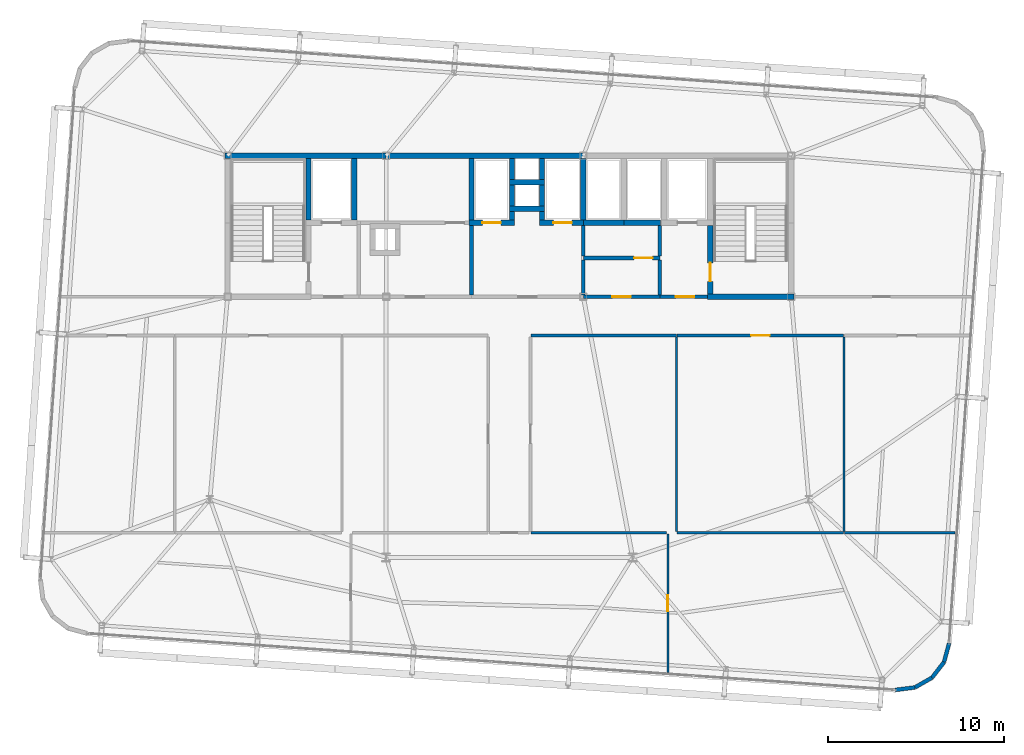
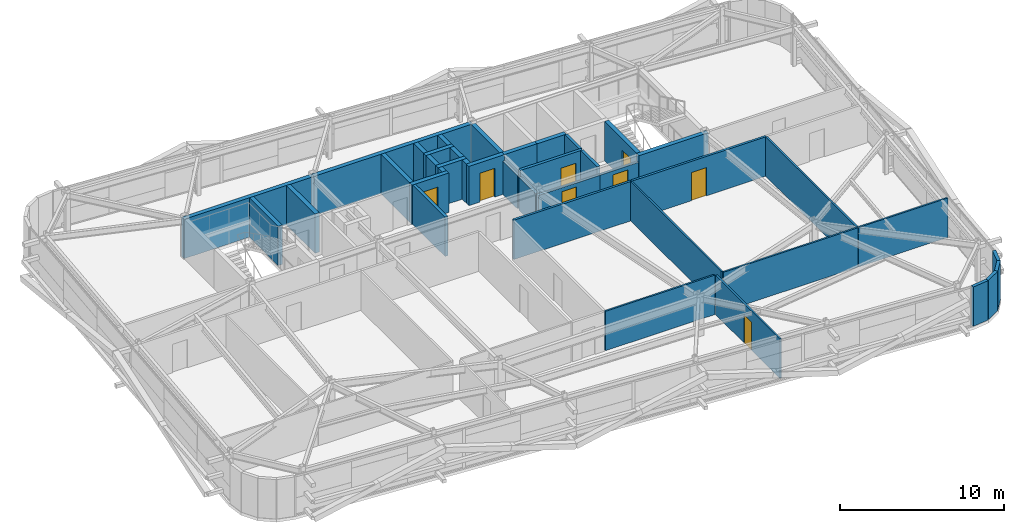
# One storey, part 36 of 39: 40 walls, 8 doors, 8 openings.
"""IFC4 building model written with IfcOpenShell, lengths in metres."""

from ifc_helpers import new_model, si_unit, direction, frame, frame_2d, origin, place, context, subcontext, project, spatial, rectangle, extrude, source, transform, mapped, material, layer, layer_set, type_object, element, fill, save


model = new_model("IFC4")

# Units and contexts
model_context = context("Model", 3, precision=1e-05, world=origin(), true_north=direction((0.0, 1.0)))
body_context = subcontext(model_context, "Body", "Model", "MODEL_VIEW")
ifc_project = project(units=[si_unit("LENGTHUNIT", "METRE"), si_unit("AREAUNIT", "SQUARE_METRE"), si_unit("VOLUMEUNIT", "CUBIC_METRE"), si_unit("PLANEANGLEUNIT", "RADIAN"), si_unit("MASSUNIT", "GRAM", prefix="KILO")], contexts=[model_context])

# Site, building, storey
site_placement = place(None, origin())
site = spatial("IfcSite", under=ifc_project, at=site_placement, CompositionType="ELEMENT")
building_placement = place(site_placement, origin())
building = spatial("IfcBuilding", under=site, at=building_placement, Name="Taldren Reach Tower", CompositionType="ELEMENT")
storey_placement = place(building_placement, frame((0.0, 0.0, 126.699951171875)))
storey = spatial("IfcBuildingStorey", under=building, at=storey_placement, Name="L38", CompositionType="ELEMENT", Elevation=126.699951171875)

# Walls
ifc_material_1 = material(Name="Pale Champagne Anodised Aluminium Cladding", Category="aluminium")
ifc_layer_1 = layer(ifc_material_1, 0.04, Name="Pale Champagne Anodised Aluminium Cladding", Category="aluminium")
ifc_material_2 = material(Name="Mineral Wool Acoustic Insulation", Category="insulation")
ifc_layer_2 = layer(ifc_material_2, 0.06, Name="Mineral Wool Acoustic Insulation", Category="insulation")
ifc_material_3 = material(Name="Steel Gr 350 (C350L0)", Category="steel")
ifc_layer_3 = layer(ifc_material_3, 0.12, Name="Steel Gr 350 (C350L0)", Category="steel")
ifc_layer_set_1 = layer_set([ifc_layer_1, ifc_layer_2, ifc_layer_3], Name="Pale Champagne Aluminium Cladding and Steel Gr 350 Stud Framing")
wall_type_1 = type_object("IfcWallType", Name="EW-CRN-220", PredefinedType="SOLIDWALL", material=ifc_layer_set_1)
shared_shape_1 = source(origin(), body_context, "Body", "SweptSolid", [
    extrude(rectangle(XDim=1.115966796875, YDim=0.219970703125, at=frame_2d((0.55810546875, 0.0))), origin(), (0.0, 0.0, 1.0), 2.929931640625),
])
for number, where, z_axis, x_axis, name in (
    (1, (58.02490234375, 1.8173828125, 0.0), (0.0, 0.0, 1.0), (0.868095010314, 0.496398079235, 0.0), "Rounded-corner pale-metal facade wall L38-SE2"),
    (2, (58.99365234375, 2.371337890625, 0.0), (0.0, 0.0, 1.0), (0.612318787668, 0.790610967714, 0.0), "Rounded-corner pale-metal facade wall L38-SE3"),
    (3, (59.677001953125, 3.253662109375, 0.0), (0.0, 0.0, 1.0), (0.262969307856, 0.964804199372, 0.0), "Rounded-corner pale-metal facade wall L38-SE4"),
):
    element("IfcWall", number, at=place(storey_placement, frame(where, z_axis=z_axis, x_axis=x_axis)), inside=storey, type_object=wall_type_1, Name=name, PredefinedType="SOLIDWALL", context=body_context, shape_type="MappedRepresentation", body=[
        mapped(shared_shape_1, transform((0.0, 0.0, 0.0), scale=1.0)),
    ])
shared_shape_2 = source(origin(), body_context, "Body", "SweptSolid", [
    extrude(rectangle(XDim=1.11572265625, YDim=0.219970703125, at=frame_2d((0.557861328125, 0.0))), origin(), (0.0, 0.0, 1.0), 2.929931640625),
])
wall_1_placement = place(storey_placement, frame((56.91796875, 1.6767578125, 0.0), z_axis=(0.0, 0.0, 1.0), x_axis=(0.99202678349, 0.126027222605, 0.0)))
element("IfcWall", 4, at=wall_1_placement, inside=storey, type_object=wall_type_1, Name="Rounded-corner pale-metal facade wall L38-SE1", PredefinedType="SOLIDWALL", context=body_context, shape_type="MappedRepresentation", body=[
    mapped(shared_shape_2, transform((0.0, 0.0, 0.0), scale=1.0)),
])

# Wall, opening, door
ifc_material_4 = material(Name="Concrete S50 (50 MPa)", Category="concrete")
ifc_layer_4 = layer(ifc_material_4, 0.199951171875)
ifc_layer_set_2 = layer_set([ifc_layer_4], Name="Concrete S50 (50 MPa)")
wall_type_2 = type_object("IfcWallType", Name="IW-CORE-200", PredefinedType="SOLIDWALL", material=ifc_layer_set_2)
shared_shape_3 = source(origin(), body_context, "Body", "SweptSolid", [
    extrude(rectangle(XDim=4.35009765625, YDim=0.199951171875, at=frame_2d((2.175048828125, 0.0))), origin(), (0.0, 0.0, 1.0), 2.39697265625),
])
wall_2_placement = place(storey_placement, frame((43.550048828125, 24.0, 0.0), z_axis=(0.0, 0.0, 1.0), x_axis=(-1.0, 0.0, 0.0)))
wall_2 = element("IfcWall", 5, at=wall_2_placement, inside=storey, type_object=wall_type_2, Name="Rear Core Shear Wall W-INT-L38-042", PredefinedType="SOLIDWALL", context=body_context, shape_type="MappedRepresentation", body=[
    mapped(shared_shape_3, transform((0.0, 0.0, 0.0), scale=1.0)),
])
shared_shape_4 = source(origin(), body_context, "Body", "SweptSolid", [
    extrude(rectangle(XDim=1.050048828125, YDim=2.10009765625, at=frame_2d((0.52490234375, 1.050048828125))), frame((0.0, 0.10986328125, 0.0), z_axis=(0.0, -1.0, 0.0), x_axis=(1.0, 0.0, 0.0)), (0.0, 0.0, 1.0), 0.219970703125),
])
opening_1_placement = place(wall_2_placement, frame((1.64990234375, 0.0, 0.0)))
opening_1 = element("IfcOpeningElement", 6, at=opening_1_placement, cuts=wall_2, Name="Opening DF-105", PredefinedType="OPENING", context=body_context, shape_type="MappedRepresentation", body=[
    mapped(shared_shape_4, transform((0.0, 0.0, 0.0), scale=1.0)),
])
ifc_material_5 = material(Name="Fire-Rated Care and Stair Exit Door")
door_type_1 = type_object("IfcDoorType", Name="ID-FIRE-105", OperationType="NOTDEFINED", PredefinedType="DOOR", material=ifc_material_5)
shared_shape_5 = source(origin(), body_context, "Body", "SweptSolid", [
    extrude(rectangle(XDim=1.050048828125, YDim=2.10009765625, at=frame_2d((0.52490234375, 1.050048828125))), frame((0.0, 0.02490234375, 0.0), z_axis=(0.0, -1.0, 0.0), x_axis=(1.0, 0.0, 0.0)), (0.0, 0.0, 1.0), 0.050048828125),
])
door_1_placement = place(opening_1_placement, frame((1.050048828125, 0.0, 0.0), z_axis=(0.0, 0.0, 1.0), x_axis=(-1.0, 0.0, 0.0)))
door_1 = element("IfcDoor", 7, at=door_1_placement, inside=storey, type_object=door_type_1, Name="Interior Door DR-L38-009", OperationType="SINGLE_SWING_LEFT", OverallHeight=2.10009765625, OverallWidth=1.050048828125, PredefinedType="DOOR", context=body_context, shape_type="MappedRepresentation", body=[
    mapped(shared_shape_5, transform((0.0, 0.0, 0.0), scale=1.0)),
])
fill(opening_1, door_1)

# Walls
shared_shape_6 = source(origin(), body_context, "Body", "SweptSolid", [
    extrude(rectangle(XDim=2.0, YDim=0.199951171875, at=frame_2d((1.0, 0.0))), origin(), (0.0, 0.0, 1.0), 2.469970703125),
])
wall_3_placement = place(storey_placement, frame((39.199951171875, 26.10009765625, 0.0), z_axis=(0.0, 0.0, 1.0), x_axis=(0.0, -1.0, 0.0)))
element("IfcWall", 8, at=wall_3_placement, inside=storey, type_object=wall_type_2, Name="Rear Core Shear Wall W-INT-L38-033", PredefinedType="SOLIDWALL", context=body_context, shape_type="MappedRepresentation", body=[
    mapped(shared_shape_6, transform((0.0, 0.0, 0.0), scale=1.0)),
])
ifc_material_6 = material(Name="Concrete S65 (65 MPa)", Category="concrete")
ifc_layer_5 = layer(ifc_material_6, 0.300048828125)
ifc_layer_set_3 = layer_set([ifc_layer_5], Name="Concrete S65 (65 MPa)")
wall_type_3 = type_object("IfcWallType", Name="IW-CORE-300", PredefinedType="SHEAR", material=ifc_layer_set_3)
shared_shape_7 = source(origin(), body_context, "Body", "SweptSolid", [
    extrude(rectangle(XDim=9.14990234375, YDim=0.300048828125, at=frame_2d((4.574951171875, 0.0))), origin(), (0.0, 0.0, 1.0), 2.929931640625),
])
wall_4_placement = place(storey_placement, frame((18.85009765625, 32.0, 0.0), z_axis=(0.0, 0.0, 1.0), x_axis=(1.0, 0.0, 0.0)))
element("IfcWall", 9, at=wall_4_placement, inside=storey, type_object=wall_type_3, Name="Rear Core Shear Wall W-CORE-L38-NORTH1", PredefinedType="SHEAR", context=body_context, shape_type="MappedRepresentation", body=[
    mapped(shared_shape_7, transform((0.0, 0.0, 0.0), scale=1.0)),
])
shared_shape_8 = source(origin(), body_context, "Body", "SweptSolid", [
    extrude(rectangle(XDim=11.199951171875, YDim=0.300048828125, at=frame_2d((5.60009765625, 0.0))), origin(), (0.0, 0.0, 1.0), 2.929931640625),
])
wall_5_placement = place(storey_placement, frame((28.0, 32.0, 0.0), z_axis=(0.0, 0.0, 1.0), x_axis=(1.0, 0.0, 0.0)))
element("IfcWall", 10, at=wall_5_placement, inside=storey, type_object=wall_type_3, Name="Rear Core Shear Wall W-CORE-L38-NORTH2", PredefinedType="SHEAR", context=body_context, shape_type="MappedRepresentation", body=[
    mapped(shared_shape_8, transform((0.0, 0.0, 0.0), scale=1.0)),
])
shared_shape_9 = source(origin(), body_context, "Body", "SweptSolid", [
    extrude(rectangle(XDim=3.5, YDim=0.300048828125, at=frame_2d((1.75, 0.0))), origin(), (0.0, 0.0, 1.0), 2.929931640625),
])
for number, where, z_axis, x_axis, name in (
    (11, (23.60009765625, 28.35009765625, 0.0), (0.0, 0.0, 1.0), (0.0, 1.0, 0.0), "Rear Core Shear Wall W-INT-L38-001"),
    (12, (26.199951171875, 28.35009765625, 0.0), (0.0, 0.0, 1.0), (0.0, 1.0, 0.0), "Rear Core Shear Wall W-INT-L38-005"),
    (13, (32.85009765625, 31.85009765625, 0.0), (0.0, 0.0, 1.0), (0.0, -1.0, 0.0), "Rear Core Shear Wall W-INT-L38-028"),
    (14, (39.199951171875, 28.35009765625, 0.0), (0.0, 0.0, 1.0), (0.0, 1.0, 0.0), "Rear Core Shear Wall W-INT-L38-031"),
):
    element("IfcWall", number, at=place(storey_placement, frame(where, z_axis=z_axis, x_axis=x_axis)), inside=storey, type_object=wall_type_3, Name=name, PredefinedType="SHEAR", context=body_context, shape_type="MappedRepresentation", body=[
        mapped(shared_shape_9, transform((0.0, 0.0, 0.0), scale=1.0)),
    ])

# Wall, opening, door
shared_shape_10 = source(origin(), body_context, "Body", "SweptSolid", [
    extrude(rectangle(XDim=3.900146484375, YDim=0.300048828125, at=frame_2d((1.9501953125, 0.0))), origin(), (0.0, 0.0, 1.0), 2.929931640625),
])
wall_6_placement = place(storey_placement, frame((46.39990234375, 28.050048828125, 0.0), z_axis=(0.0, 0.0, 1.0), x_axis=(0.0, -1.0, 0.0)))
wall_6 = element("IfcWall", 15, at=wall_6_placement, inside=storey, type_object=wall_type_3, Name="Rear Core Shear Wall W-INT-L38-009", PredefinedType="SHEAR", context=body_context, shape_type="MappedRepresentation", body=[
    mapped(shared_shape_10, transform((0.0, 0.0, 0.0), scale=1.0)),
])
shared_shape_11 = source(origin(), body_context, "Body", "SweptSolid", [
    extrude(rectangle(XDim=1.050048828125, YDim=2.10009765625, at=frame_2d((0.52490234375, 1.050048828125))), frame((0.0, 0.16015625, 0.0), z_axis=(0.0, -1.0, 0.0), x_axis=(1.0, 0.0, 0.0)), (0.0, 0.0, 1.0), 0.320068359375),
])
opening_2_placement = place(wall_6_placement, frame((2.125, 0.0, 0.0)))
opening_2 = element("IfcOpeningElement", 16, at=opening_2_placement, cuts=wall_6, Name="Opening DF-105", PredefinedType="OPENING", context=body_context, shape_type="MappedRepresentation", body=[
    mapped(shared_shape_11, transform((0.0, 0.0, 0.0), scale=1.0)),
])
door_2_placement = place(opening_2_placement, origin())
door_2 = element("IfcDoor", 17, at=door_2_placement, inside=storey, type_object=door_type_1, Name="Fire Exit Stair Door DR-L38-003", OperationType="SINGLE_SWING_RIGHT", OverallHeight=2.10009765625, OverallWidth=1.050048828125, PredefinedType="DOOR", context=body_context, shape_type="MappedRepresentation", body=[
    mapped(shared_shape_5, transform((0.0, 0.0, 0.0), scale=1.0)),
])
fill(opening_2, door_2)

# Walls
shared_shape_12 = source(origin(), body_context, "Body", "SweptSolid", [
    extrude(rectangle(XDim=4.89990234375, YDim=0.300048828125, at=frame_2d((2.449951171875, 0.0))), origin(), (0.0, 0.0, 1.0), 2.929931640625),
])
wall_7_placement = place(storey_placement, frame((46.25, 24.0, 0.0), z_axis=(0.0, 0.0, 1.0), x_axis=(1.0, 0.0, 0.0)))
element("IfcWall", 18, at=wall_7_placement, inside=storey, type_object=wall_type_3, Name="Rear Core Shear Wall W-INT-L38-010", PredefinedType="SHEAR", context=body_context, shape_type="MappedRepresentation", body=[
    mapped(shared_shape_12, transform((0.0, 0.0, 0.0), scale=1.0)),
])
shared_shape_13 = source(origin(), body_context, "Body", "SweptSolid", [
    extrude(rectangle(XDim=3.949951171875, YDim=0.199951171875, at=frame_2d((1.97509765625, 0.0))), origin(), (0.0, 0.0, 1.0), 2.929931640625),
])
wall_8_placement = place(storey_placement, frame((32.85009765625, 24.10009765625, 0.0), z_axis=(0.0, 0.0, 1.0), x_axis=(0.0, 1.0, 0.0)))
element("IfcWall", 19, at=wall_8_placement, inside=storey, type_object=wall_type_2, Name="Rear Core Shear Wall W-INT-L38-032", PredefinedType="SOLIDWALL", context=body_context, shape_type="MappedRepresentation", body=[
    mapped(shared_shape_13, transform((0.0, 0.0, 0.0), scale=1.0)),
])

# Wall, opening, door
shared_shape_14 = source(origin(), body_context, "Body", "SweptSolid", [
    extrude(rectangle(XDim=2.699951171875, YDim=0.199951171875, at=frame_2d((1.35009765625, 0.0))), origin(), (0.0, 0.0, 1.0), 2.39697265625),
])
wall_9_placement = place(storey_placement, frame((43.550048828125, 24.0, 0.0), z_axis=(0.0, 0.0, 1.0), x_axis=(1.0, 0.0, 0.0)))
wall_9 = element("IfcWall", 20, at=wall_9_placement, inside=storey, type_object=wall_type_2, Name="Rear Core Shear Wall W-INT-L38-015", PredefinedType="SOLIDWALL", context=body_context, shape_type="MappedRepresentation", body=[
    mapped(shared_shape_14, transform((0.0, 0.0, 0.0), scale=1.0)),
])
opening_3_placement = place(wall_9_placement, frame((0.89990234375, 0.0, 0.0)))
opening_3 = element("IfcOpeningElement", 21, at=opening_3_placement, cuts=wall_9, Name="Opening DF-105", PredefinedType="OPENING", context=body_context, shape_type="MappedRepresentation", body=[
    mapped(shared_shape_4, transform((0.0, 0.0, 0.0), scale=1.0)),
])
door_3_placement = place(opening_3_placement, origin())
door_3 = element("IfcDoor", 22, at=door_3_placement, inside=storey, type_object=door_type_1, Name="Interior Door DR-L38-004", OperationType="SINGLE_SWING_LEFT", OverallHeight=2.10009765625, OverallWidth=1.050048828125, PredefinedType="DOOR", context=body_context, shape_type="MappedRepresentation", body=[
    mapped(shared_shape_5, transform((0.0, 0.0, 0.0), scale=1.0)),
])
fill(opening_3, door_3)

# Walls
shared_shape_15 = source(origin(), body_context, "Body", "SweptSolid", [
    extrude(rectangle(XDim=2.0, YDim=0.300048828125, at=frame_2d((1.0, 0.0))), origin(), (0.0, 0.0, 1.0), 2.929931640625),
])
for number, where, z_axis, x_axis, name in (
    (23, (35.0, 30.5, 0.0), (0.0, 0.0, 1.0), (1.0, 0.0, 0.0), "Rear Core Shear Wall W-INT-L38-016"),
    (24, (35.0, 29.0, 0.0), (0.0, 0.0, 1.0), (1.0, 0.0, 0.0), "Rear Core Shear Wall W-INT-L38-021"),
):
    element("IfcWall", number, at=place(storey_placement, frame(where, z_axis=z_axis, x_axis=x_axis)), inside=storey, type_object=wall_type_3, Name=name, PredefinedType="SHEAR", context=body_context, shape_type="MappedRepresentation", body=[
        mapped(shared_shape_15, transform((0.0, 0.0, 0.0), scale=1.0)),
    ])
shared_shape_16 = source(origin(), body_context, "Body", "SweptSolid", [
    extrude(rectangle(XDim=1.2001953125, YDim=0.300048828125, at=frame_2d((0.60009765625, 0.0))), origin(), (0.0, 0.0, 1.0), 2.929931640625),
])
for number, where, z_axis, x_axis, name in (
    (25, (35.14990234375, 31.85009765625, 0.0), (0.0, 0.0, 1.0), (0.0, -1.0, 0.0), "Rear Core Shear Wall W-INT-L38-017"),
    (26, (36.85009765625, 30.64990234375, 0.0), (0.0, 0.0, 1.0), (0.0, 1.0, 0.0), "Rear Core Shear Wall W-INT-L38-018"),
    (27, (35.14990234375, 30.35009765625, 0.0), (0.0, 0.0, 1.0), (0.0, -1.0, 0.0), "Rear Core Shear Wall W-INT-L38-019"),
    (28, (36.85009765625, 29.14990234375, 0.0), (0.0, 0.0, 1.0), (0.0, 1.0, 0.0), "Rear Core Shear Wall W-INT-L38-020"),
):
    element("IfcWall", number, at=place(storey_placement, frame(where, z_axis=z_axis, x_axis=x_axis)), inside=storey, type_object=wall_type_3, Name=name, PredefinedType="SHEAR", context=body_context, shape_type="MappedRepresentation", body=[
        mapped(shared_shape_16, transform((0.0, 0.0, 0.0), scale=1.0)),
    ])
shared_shape_17 = source(origin(), body_context, "Body", "SweptSolid", [
    extrude(rectangle(XDim=2.070068359375, YDim=0.300048828125, at=frame_2d((1.03515625, 0.0))), origin(), (0.0, 0.0, 1.0), 2.929931640625),
])
wall_10_placement = place(storey_placement, frame((41.5, 28.199951171875, 0.0), z_axis=(0.0, 0.0, 1.0), x_axis=(1.0, 0.0, 0.0)))
element("IfcWall", 29, at=wall_10_placement, inside=storey, type_object=wall_type_3, Name="Rear Core Shear Wall W-INT-L38-038", PredefinedType="SHEAR", context=body_context, shape_type="MappedRepresentation", body=[
    mapped(shared_shape_17, transform((0.0, 0.0, 0.0), scale=1.0)),
])
shared_shape_18 = source(origin(), body_context, "Body", "SweptSolid", [
    extrude(rectangle(XDim=0.5, YDim=0.300048828125, at=frame_2d((0.25, 0.0))), origin(), (0.0, 0.0, 1.0), 2.929931640625),
])
for number, where, z_axis, x_axis, name in (
    (30, (35.14990234375, 28.35009765625, 0.0), (0.0, 0.0, 1.0), (0.0, 1.0, 0.0), "Rear Core Shear Wall W-INT-L38-027"),
    (31, (36.85009765625, 28.85009765625, 0.0), (0.0, 0.0, 1.0), (0.0, -1.0, 0.0), "Rear Core Shear Wall W-INT-L38-030"),
):
    element("IfcWall", number, at=place(storey_placement, frame(where, z_axis=z_axis, x_axis=x_axis)), inside=storey, type_object=wall_type_3, Name=name, PredefinedType="SHEAR", context=body_context, shape_type="MappedRepresentation", body=[
        mapped(shared_shape_18, transform((0.0, 0.0, 0.0), scale=1.0)),
    ])

# Wall, opening, door
shared_shape_19 = source(origin(), body_context, "Body", "SweptSolid", [
    extrude(rectangle(XDim=2.60009765625, YDim=0.300048828125, at=frame_2d((1.300048828125, 0.0))), origin(), (0.0, 0.0, 1.0), 2.929931640625),
])
wall_11_placement = place(storey_placement, frame((32.699951171875, 28.199951171875, 0.0), z_axis=(0.0, 0.0, 1.0), x_axis=(1.0, 0.0, 0.0)))
wall_11 = element("IfcWall", 32, at=wall_11_placement, inside=storey, type_object=wall_type_3, Name="Rear Core Shear Wall W-INT-L38-026", PredefinedType="SHEAR", context=body_context, shape_type="MappedRepresentation", body=[
    mapped(shared_shape_19, transform((0.0, 0.0, 0.0), scale=1.0)),
])
shared_shape_20 = source(origin(), body_context, "Body", "SweptSolid", [
    extrude(rectangle(XDim=1.050048828125, YDim=2.14990234375, at=frame_2d((0.52490234375, 1.074951171875))), frame((0.0, 0.16015625, 0.0), z_axis=(0.0, -1.0, 0.0), x_axis=(1.0, 0.0, 0.0)), (0.0, 0.0, 1.0), 0.320068359375),
])
opening_4_placement = place(wall_11_placement, frame((0.77490234375, 0.0, 0.0)))
opening_4 = element("IfcOpeningElement", 33, at=opening_4_placement, cuts=wall_11, Name="Opening LD-PM1", PredefinedType="OPENING", context=body_context, shape_type="MappedRepresentation", body=[
    mapped(shared_shape_20, transform((0.0, 0.0, 0.0), scale=1.0)),
])
ifc_material_7 = material(Name="Stainless Steel Gr 316 Passenger Lift Landing Door", Category="steel")
door_type_2 = type_object("IfcDoorType", Name="LD-PAS-105", OperationType="SLIDING_TO_LEFT", PredefinedType="DOOR", material=ifc_material_7)
shared_shape_21 = source(origin(), body_context, "Body", "SweptSolid", [
    extrude(rectangle(XDim=1.050048828125, YDim=2.14990234375, at=frame_2d((0.52490234375, 1.074951171875))), frame((0.0, 0.02490234375, 0.0), z_axis=(0.0, -1.0, 0.0), x_axis=(1.0, 0.0, 0.0)), (0.0, 0.0, 1.0), 0.050048828125),
])
door_4_placement = place(opening_4_placement, origin())
door_4 = element("IfcDoor", 34, at=door_4_placement, inside=storey, type_object=door_type_2, Name="Lift Landing Door LD-PM1-L38", OperationType="SLIDING_TO_LEFT", OverallHeight=2.14990234375, OverallWidth=1.050048828125, PredefinedType="DOOR", context=body_context, shape_type="MappedRepresentation", body=[
    mapped(shared_shape_21, transform((0.0, 0.0, 0.0), scale=1.0)),
])
fill(opening_4, door_4)

shared_shape_22 = source(origin(), body_context, "Body", "SweptSolid", [
    extrude(rectangle(XDim=2.5, YDim=0.300048828125, at=frame_2d((1.25, 0.0))), origin(), (0.0, 0.0, 1.0), 2.929931640625),
])
wall_12_placement = place(storey_placement, frame((36.699951171875, 28.199951171875, 0.0), z_axis=(0.0, 0.0, 1.0), x_axis=(1.0, 0.0, 0.0)))
wall_12 = element("IfcWall", 35, at=wall_12_placement, inside=storey, type_object=wall_type_3, Name="Rear Core Shear Wall W-INT-L38-029", PredefinedType="SHEAR", context=body_context, shape_type="MappedRepresentation", body=[
    mapped(shared_shape_22, transform((0.0, 0.0, 0.0), scale=1.0)),
])
opening_5_placement = place(wall_12_placement, frame((0.794921875, 0.0, 0.0)))
opening_5 = element("IfcOpeningElement", 36, at=opening_5_placement, cuts=wall_12, Name="Opening LD-PM2", PredefinedType="OPENING", context=body_context, shape_type="MappedRepresentation", body=[
    mapped(shared_shape_20, transform((0.0, 0.0, 0.0), scale=1.0)),
])
door_5_placement = place(opening_5_placement, origin())
door_5 = element("IfcDoor", 37, at=door_5_placement, inside=storey, type_object=door_type_2, Name="Lift Landing Door LD-PM2-L38", OperationType="SLIDING_TO_LEFT", OverallHeight=2.14990234375, OverallWidth=1.050048828125, PredefinedType="DOOR", context=body_context, shape_type="MappedRepresentation", body=[
    mapped(shared_shape_21, transform((0.0, 0.0, 0.0), scale=1.0)),
])
fill(opening_5, door_5)

# Walls
shared_shape_23 = source(origin(), body_context, "Body", "SweptSolid", [
    extrude(rectangle(XDim=2.300048828125, YDim=0.300048828125, at=frame_2d((1.14990234375, 0.0))), origin(), (0.0, 0.0, 1.0), 2.929931640625),
])
wall_13_placement = place(storey_placement, frame((39.199951171875, 28.199951171875, 0.0), z_axis=(0.0, 0.0, 1.0), x_axis=(1.0, 0.0, 0.0)))
element("IfcWall", 38, at=wall_13_placement, inside=storey, type_object=wall_type_3, Name="Rear Core Shear Wall W-INT-L38-037", PredefinedType="SHEAR", context=body_context, shape_type="MappedRepresentation", body=[
    mapped(shared_shape_23, transform((0.0, 0.0, 0.0), scale=1.0)),
])
shared_shape_24 = source(origin(), body_context, "Body", "SweptSolid", [
    extrude(rectangle(XDim=2.0, YDim=0.199951171875, at=frame_2d((1.0, 0.0))), origin(), (0.0, 0.0, 1.0), 2.929931640625),
])
wall_14_placement = place(storey_placement, frame((43.550048828125, 26.10009765625, 0.0), z_axis=(0.0, 0.0, 1.0), x_axis=(0.0, -1.0, 0.0)))
element("IfcWall", 39, at=wall_14_placement, inside=storey, type_object=wall_type_2, Name="Rear Core Shear Wall W-INT-L38-013", PredefinedType="SOLIDWALL", context=body_context, shape_type="MappedRepresentation", body=[
    mapped(shared_shape_24, transform((0.0, 0.0, 0.0), scale=1.0)),
])
shared_shape_25 = source(origin(), body_context, "Body", "SweptSolid", [
    extrude(rectangle(XDim=1.75, YDim=0.199951171875, at=frame_2d((0.875, 0.0))), origin(), (0.0, 0.0, 1.0), 2.929931640625),
])
wall_15_placement = place(storey_placement, frame((43.550048828125, 28.050048828125, 0.0), z_axis=(0.0, 0.0, 1.0), x_axis=(0.0, -1.0, 0.0)))
element("IfcWall", 40, at=wall_15_placement, inside=storey, type_object=wall_type_2, Name="Rear Core Shear Wall W-INT-L38-014", PredefinedType="SOLIDWALL", context=body_context, shape_type="MappedRepresentation", body=[
    mapped(shared_shape_25, transform((0.0, 0.0, 0.0), scale=1.0)),
])
shared_shape_26 = source(origin(), body_context, "Body", "SweptSolid", [
    extrude(rectangle(XDim=1.75, YDim=0.199951171875, at=frame_2d((0.875, 0.0))), origin(), (0.0, 0.0, 1.0), 2.469970703125),
])
wall_16_placement = place(storey_placement, frame((39.199951171875, 28.050048828125, 0.0), z_axis=(0.0, 0.0, 1.0), x_axis=(0.0, -1.0, 0.0)))
element("IfcWall", 41, at=wall_16_placement, inside=storey, type_object=wall_type_2, Name="Rear Core Shear Wall W-INT-L38-034", PredefinedType="SOLIDWALL", context=body_context, shape_type="MappedRepresentation", body=[
    mapped(shared_shape_26, transform((0.0, 0.0, 0.0), scale=1.0)),
])

# Wall, opening, door
shared_shape_27 = source(origin(), body_context, "Body", "SweptSolid", [
    extrude(rectangle(XDim=4.35009765625, YDim=0.199951171875, at=frame_2d((2.175048828125, 0.0))), origin(), (0.0, 0.0, 1.0), 2.929931640625),
])
wall_17_placement = place(storey_placement, frame((39.199951171875, 26.199951171875, 0.0), z_axis=(0.0, 0.0, 1.0), x_axis=(1.0, 0.0, 0.0)))
wall_17 = element("IfcWall", 42, at=wall_17_placement, inside=storey, type_object=wall_type_2, Name="Rear Core Shear Wall W-INT-L38-041", PredefinedType="SOLIDWALL", context=body_context, shape_type="MappedRepresentation", body=[
    mapped(shared_shape_27, transform((0.0, 0.0, 0.0), scale=1.0)),
])
opening_6_placement = place(wall_17_placement, frame((2.8798828125, 0.0, 0.0)))
opening_6 = element("IfcOpeningElement", 43, at=opening_6_placement, cuts=wall_17, Name="Opening DF-105", PredefinedType="OPENING", context=body_context, shape_type="MappedRepresentation", body=[
    mapped(shared_shape_4, transform((0.0, 0.0, 0.0), scale=1.0)),
])
door_6_placement = place(opening_6_placement, origin())
door_6 = element("IfcDoor", 44, at=door_6_placement, inside=storey, type_object=door_type_1, Name="Interior Door DR-L38-008", OperationType="SINGLE_SWING_RIGHT", OverallHeight=2.10009765625, OverallWidth=1.050048828125, PredefinedType="DOOR", context=body_context, shape_type="MappedRepresentation", body=[
    mapped(shared_shape_5, transform((0.0, 0.0, 0.0), scale=1.0)),
])
fill(opening_6, door_6)

ifc_material_8 = material(Name="Fire-Rated Acoustic Plasterboard Stud Wall", Category="gypsum")
ifc_layer_6 = layer(ifc_material_8, 0.159912109375)
ifc_layer_set_4 = layer_set([ifc_layer_6], Name="Fire-Rated Acoustic Plasterboard Stud Wall")
wall_type_4 = type_object("IfcWallType", Name="IW-FIRE-160", PredefinedType="PARTITIONING", material=ifc_layer_set_4)
shared_shape_28 = source(origin(), body_context, "Body", "SweptSolid", [
    extrude(rectangle(XDim=9.45947265625, YDim=0.159912109375, at=frame_2d((4.729736328125, 0.0))), origin(), (0.0, 0.0, 1.0), 2.929931640625),
])
wall_18_placement = place(storey_placement, frame((53.979736328125, 21.800048828125, 0.0), z_axis=(0.0, 0.0, 1.0), x_axis=(-1.0, 0.0, 0.0)))
wall_18 = element("IfcWall", 45, at=wall_18_placement, inside=storey, type_object=wall_type_4, Name="Interior Partition Wall W-INT-L38-047", PredefinedType="PARTITIONING", context=body_context, shape_type="MappedRepresentation", body=[
    mapped(shared_shape_28, transform((0.0, 0.0, 0.0), scale=1.0)),
])
shared_shape_29 = source(origin(), body_context, "Body", "SweptSolid", [
    extrude(rectangle(XDim=1.050048828125, YDim=2.10009765625, at=frame_2d((0.52490234375, 1.050048828125))), frame((0.0, 0.08984375, 0.0), z_axis=(0.0, -1.0, 0.0), x_axis=(1.0, 0.0, 0.0)), (0.0, 0.0, 1.0), 0.179931640625),
])
opening_7_placement = place(wall_18_placement, frame((4.20458984375, 0.0, 0.0)))
opening_7 = element("IfcOpeningElement", 46, at=opening_7_placement, cuts=wall_18, Name="Opening DF-105", PredefinedType="OPENING", context=body_context, shape_type="MappedRepresentation", body=[
    mapped(shared_shape_29, transform((0.0, 0.0, 0.0), scale=1.0)),
])
door_7_placement = place(opening_7_placement, origin())
door_7 = element("IfcDoor", 47, at=door_7_placement, inside=storey, type_object=door_type_1, Name="Interior Door DR-L38-012", OperationType="SINGLE_SWING_LEFT", OverallHeight=2.10009765625, OverallWidth=1.050048828125, PredefinedType="DOOR", context=body_context, shape_type="MappedRepresentation", body=[
    mapped(shared_shape_5, transform((0.0, 0.0, 0.0), scale=1.0)),
])
fill(opening_7, door_7)

# Walls
shared_shape_30 = source(origin(), body_context, "Body", "SweptSolid", [
    extrude(rectangle(XDim=8.259521484375, YDim=0.159912109375, at=frame_2d((4.1298828125, 0.0))), origin(), (0.0, 0.0, 1.0), 2.929931640625),
])
wall_19_placement = place(storey_placement, frame((44.479736328125, 21.800048828125, 0.0), z_axis=(0.0, 0.0, 1.0), x_axis=(-1.0, 0.0, 0.0)))
element("IfcWall", 48, at=wall_19_placement, inside=storey, type_object=wall_type_4, Name="Interior Partition Wall W-INT-L38-046", PredefinedType="PARTITIONING", context=body_context, shape_type="MappedRepresentation", body=[
    mapped(shared_shape_30, transform((0.0, 0.0, 0.0), scale=1.0)),
])
ifc_material_9 = material(Name="Insulated Residential Stud Partition", Category="gypsum")
ifc_layer_7 = layer(ifc_material_9, 0.1201171875)
ifc_layer_set_5 = layer_set([ifc_layer_7], Name="Insulated Residential Stud Partition")
wall_type_5 = type_object("IfcWallType", Name="IW-PART-120", PredefinedType="PARTITIONING", material=ifc_layer_set_5)
shared_shape_31 = source(origin(), body_context, "Body", "SweptSolid", [
    extrude(rectangle(XDim=9.45947265625, YDim=0.1201171875, at=frame_2d((4.729736328125, 0.0))), origin(), (0.0, 0.0, 1.0), 2.929931640625),
])
wall_20_placement = place(storey_placement, frame((44.520263671875, 10.60009765625, 0.0), z_axis=(0.0, 0.0, 1.0), x_axis=(1.0, 0.0, 0.0)))
element("IfcWall", 49, at=wall_20_placement, inside=storey, type_object=wall_type_5, Name="Interior Partition Wall W-INT-L38-060", PredefinedType="PARTITIONING", context=body_context, shape_type="MappedRepresentation", body=[
    mapped(shared_shape_31, transform((0.0, 0.0, 0.0), scale=1.0)),
])

# Wall, opening, door
shared_shape_32 = source(origin(), body_context, "Body", "SweptSolid", [
    extrude(rectangle(XDim=7.84423828125, YDim=0.1201171875, at=frame_2d((3.922119140625, 0.0))), origin(), (0.0, 0.0, 1.0), 2.929931640625),
])
wall_21_placement = place(storey_placement, frame((44.0, 10.52001953125, 0.0), z_axis=(0.0, 0.0, 1.0), x_axis=(0.0, -1.0, 0.0)))
wall_21 = element("IfcWall", 50, at=wall_21_placement, inside=storey, type_object=wall_type_5, Name="Interior Partition Wall W-INT-L38-057", PredefinedType="PARTITIONING", context=body_context, shape_type="MappedRepresentation", body=[
    mapped(shared_shape_32, transform((0.0, 0.0, 0.0), scale=1.0)),
])
shared_shape_33 = source(origin(), body_context, "Body", "SweptSolid", [
    extrude(rectangle(XDim=0.919921875, YDim=2.10009765625, at=frame_2d((0.4599609375, 1.050048828125))), frame((0.0, 0.070068359375, 0.0), z_axis=(0.0, -1.0, 0.0), x_axis=(1.0, 0.0, 0.0)), (0.0, 0.0, 1.0), 0.14013671875),
])
opening_8_placement = place(wall_21_placement, frame((3.462158203125, 0.0, 0.0)))
opening_8 = element("IfcOpeningElement", 51, at=opening_8_placement, cuts=wall_21, Name="Opening DI-092", PredefinedType="OPENING", context=body_context, shape_type="MappedRepresentation", body=[
    mapped(shared_shape_33, transform((0.0, 0.0, 0.0), scale=1.0)),
])
ifc_material_10 = material(Name="Solid-Core Timber Suite Door", Category="wood")
door_type_3 = type_object("IfcDoorType", Name="ID-INT-092", OperationType="NOTDEFINED", PredefinedType="DOOR", material=ifc_material_10)
shared_shape_34 = source(origin(), body_context, "Body", "SweptSolid", [
    extrude(rectangle(XDim=0.919921875, YDim=2.10009765625, at=frame_2d((0.4599609375, 1.050048828125))), frame((0.0, 0.02490234375, 0.0), z_axis=(0.0, -1.0, 0.0), x_axis=(1.0, 0.0, 0.0)), (0.0, 0.0, 1.0), 0.050048828125),
])
door_8_placement = place(opening_8_placement, frame((0.919921875, 0.0, 0.0), z_axis=(0.0, 0.0, 1.0), x_axis=(-1.0, 0.0, 0.0)))
door_8 = element("IfcDoor", 52, at=door_8_placement, inside=storey, type_object=door_type_3, Name="Interior Door DR-L38-019", OperationType="SINGLE_SWING_LEFT", OverallHeight=2.10009765625, OverallWidth=0.919921875, PredefinedType="DOOR", context=body_context, shape_type="MappedRepresentation", body=[
    mapped(shared_shape_34, transform((0.0, 0.0, 0.0), scale=1.0)),
])
fill(opening_8, door_8)

# Walls
shared_shape_35 = source(origin(), body_context, "Body", "SweptSolid", [
    extrude(rectangle(XDim=7.69970703125, YDim=0.1201171875, at=frame_2d((3.849853515625, 0.0))), origin(), (0.0, 0.0, 1.0), 2.929931640625),
])
wall_22_placement = place(storey_placement, frame((36.22021484375, 10.60009765625, 0.0), z_axis=(0.0, 0.0, 1.0), x_axis=(1.0, 0.0, 0.0)))
element("IfcWall", 53, at=wall_22_placement, inside=storey, type_object=wall_type_5, Name="Interior Partition Wall W-INT-L38-059", PredefinedType="PARTITIONING", context=body_context, shape_type="MappedRepresentation", body=[
    mapped(shared_shape_35, transform((0.0, 0.0, 0.0), scale=1.0)),
])
shared_shape_36 = source(origin(), body_context, "Body", "SweptSolid", [
    extrude(rectangle(XDim=6.292724609375, YDim=0.1201171875, at=frame_2d((3.146484375, 0.0))), origin(), (0.0, 0.0, 1.0), 2.929931640625),
])
wall_23_placement = place(storey_placement, frame((54.020263671875, 10.60009765625, 0.0), z_axis=(0.0, 0.0, 1.0), x_axis=(1.0, 0.0, 0.0)))
element("IfcWall", 54, at=wall_23_placement, inside=storey, type_object=wall_type_5, Name="Interior Partition Wall W-INT-L38-061", PredefinedType="PARTITIONING", context=body_context, shape_type="MappedRepresentation", body=[
    mapped(shared_shape_36, transform((0.0, 0.0, 0.0), scale=1.0)),
])
shared_shape_37 = source(origin(), body_context, "Body", "SweptSolid", [
    extrude(rectangle(XDim=11.0361328125, YDim=0.1201171875, at=frame_2d((5.51806640625, 0.0))), origin(), (0.0, 0.0, 1.0), 2.929931640625),
])
for number, where, z_axis, x_axis, name in (
    (55, (44.5, 21.718017578125, 0.0), (0.0, 0.0, 1.0), (0.0, -1.0, 0.0), "Interior Partition Wall W-INT-L38-064"),
    (56, (54.0, 21.718017578125, 0.0), (0.0, 0.0, 1.0), (0.0, -1.0, 0.0), "Interior Partition Wall W-INT-L38-065"),
):
    element("IfcWall", number, at=place(storey_placement, frame(where, z_axis=z_axis, x_axis=x_axis)), inside=storey, type_object=wall_type_5, Name=name, PredefinedType="PARTITIONING", context=body_context, shape_type="MappedRepresentation", body=[
        mapped(shared_shape_37, transform((0.0, 0.0, 0.0), scale=1.0)),
    ])

save(model, "model.ifc")
